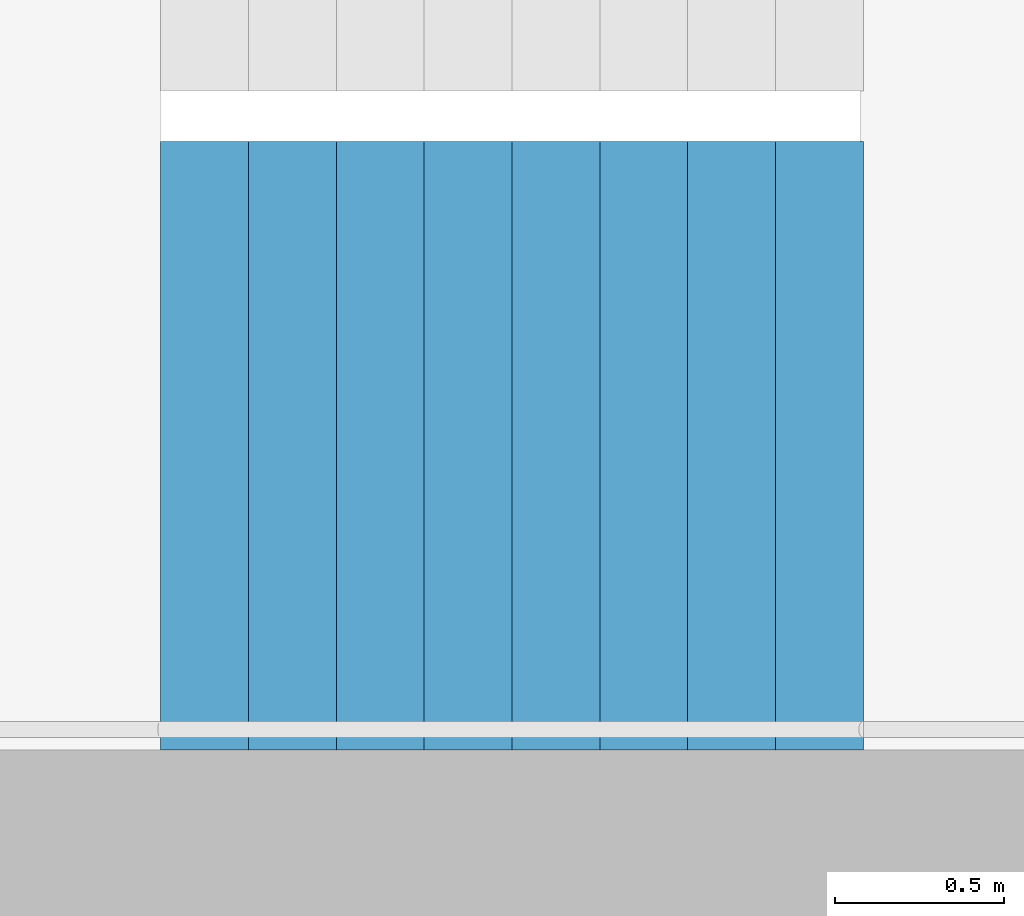
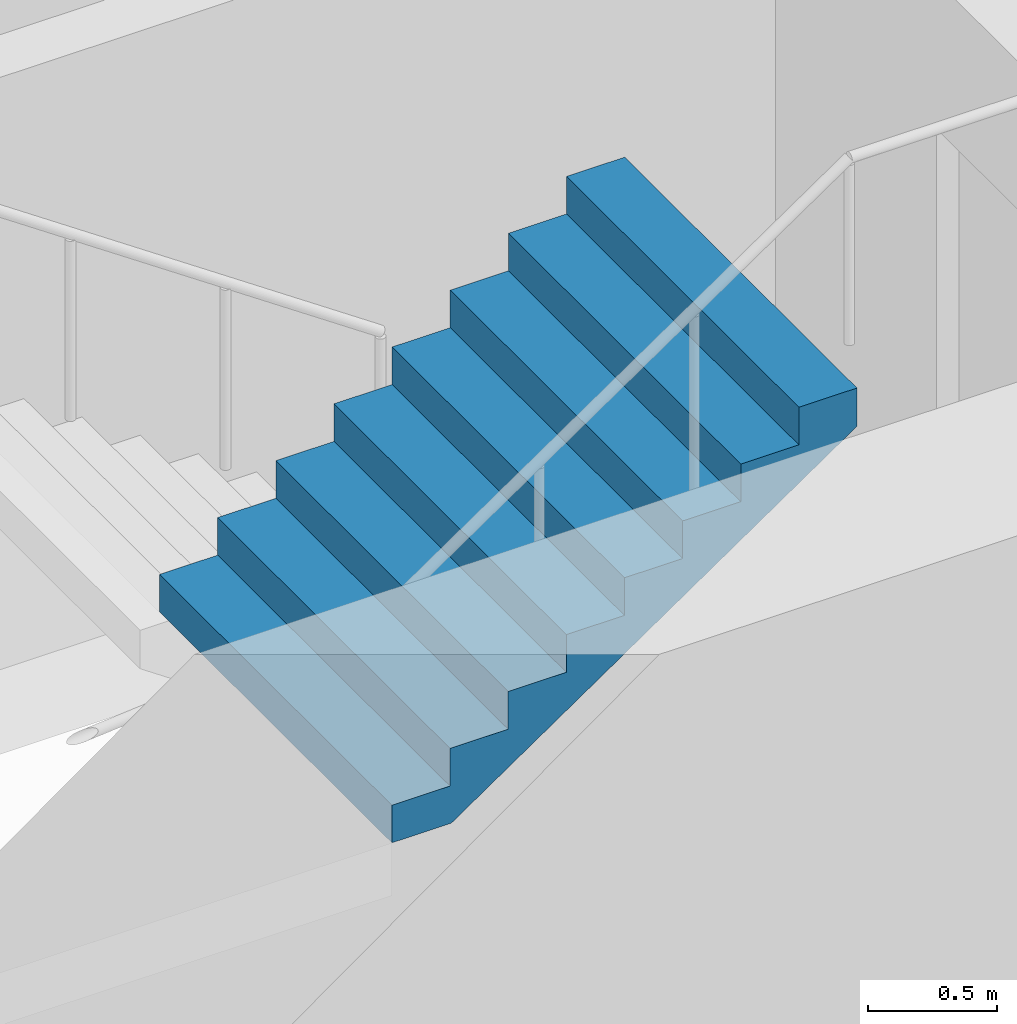
# One storey, part 20 of 28: 1 stair flight, 1 element without a shape of its own.
"""IFC4 building model written with IfcOpenShell, lengths in metres."""

from ifc_helpers import new_model, si_unit, direction, frame, origin, place, context, subcontext, project, spatial, triangles, material, type_object, element, aggregate, save


model = new_model("IFC4")

# Units and contexts
model_context = context("Model", 3, precision=1e-05, world=origin(), true_north=direction((0.0, 1.0)))
body_context = subcontext(model_context, "Body", "Model", "MODEL_VIEW")
ifc_project = project(units=[si_unit("LENGTHUNIT", "METRE"), si_unit("AREAUNIT", "SQUARE_METRE"), si_unit("VOLUMEUNIT", "CUBIC_METRE"), si_unit("PLANEANGLEUNIT", "RADIAN"), si_unit("MASSUNIT", "GRAM", prefix="KILO")], contexts=[model_context])

# Site, building, storey
site_placement = place(None, origin())
site = spatial("IfcSite", under=ifc_project, at=site_placement, CompositionType="ELEMENT")
building_placement = place(site_placement, origin())
building = spatial("IfcBuilding", under=site, at=building_placement, Name="Hakoniwa Tower and Hamabe Station Hall", CompositionType="ELEMENT")
storey_placement = place(building_placement, frame((0.0, 0.0, 32.60009765625)))
storey = spatial("IfcBuildingStorey", under=building, at=storey_placement, Name="L08", CompositionType="ELEMENT", Elevation=32.60009765625)

# Stair, stair flight
ifc_material_1 = material(Name="Concrete C40", Category="concrete")
stair_type = type_object("IfcStairType", Name="ESCAPE STAIR 1800", PredefinedType="HALF_TURN_STAIR", material=ifc_material_1)
stair_placement = place(storey_placement, origin())
stair = element("IfcStair", 1, at=stair_placement, inside=storey, type_object=stair_type, Name="Escape stair ST-2 L08", PredefinedType="HALF_TURN_STAIR")
ifc_material_2 = material(Name="Concrete C40", Category="concrete")
stair_flight_type = type_object("IfcStairFlightType", Name="STAIR FLIGHT 1800", PredefinedType="STRAIGHT", material=ifc_material_2)
stair_flight_placement = place(storey_placement, frame((-25.47998046875, -6.60009765625, 1.599853515625), z_axis=(0.0, 0.0, 1.0), x_axis=(1.0, 0.0, 0.0)))
stair_flight = element("IfcStairFlight", 2, at=stair_flight_placement, type_object=stair_flight_type, Name="ST-2 flight 2", NumberOfRisers=9, NumberOfTreads=8, PredefinedType="STRAIGHT", RiserHeight=0.177777778, TreadLength=0.26, context=body_context, shape_type="Tessellation", body=[
    triangles([(0.0, 0.89990234375, 0.0), (0.260009765625, 0.89990234375, 0.0), (0.265625, 0.89990234375, 0.0), (0.52001953125, 0.89990234375, 0.174072265625), (0.780029296875, 0.89990234375, 0.351806640625), (1.0400390625, 0.89990234375, 0.529541015625), (1.300048828125, 0.89990234375, 0.707275390625), (1.56005859375, 0.89990234375, 0.885009765625), (1.820068359375, 0.89990234375, 1.062744140625), (2.080078125, 0.89990234375, 1.24072265625), (2.080078125, 0.89990234375, 1.422119140625), (1.820068359375, 0.89990234375, 1.422119140625), (1.820068359375, 0.89990234375, 1.244384765625), (1.56005859375, 0.89990234375, 1.244384765625), (1.56005859375, 0.89990234375, 1.066650390625), (1.300048828125, 0.89990234375, 1.066650390625), (1.300048828125, 0.89990234375, 0.888916015625), (1.0400390625, 0.89990234375, 0.888916015625), (1.0400390625, 0.89990234375, 0.711181640625), (0.780029296875, 0.89990234375, 0.711181640625), (0.780029296875, 0.89990234375, 0.533447265625), (0.52001953125, 0.89990234375, 0.533447265625), (0.52001953125, 0.89990234375, 0.35546875), (0.265625, 0.89990234375, 0.35546875), (0.260009765625, 0.89990234375, 0.35546875), (0.260009765625, 0.89990234375, 0.177734375), (0.0, 0.89990234375, 0.177734375), (0.0, 0.06005859375, 0.0), (0.260009765625, 0.06005859375, 0.0), (0.265625, 0.06005859375, 0.0), (0.52001953125, 0.06005859375, 0.174072265625), (0.780029296875, 0.06005859375, 0.351806640625), (1.0400390625, 0.06005859375, 0.529541015625), (1.300048828125, 0.06005859375, 0.707275390625), (1.56005859375, 0.06005859375, 0.885009765625), (1.820068359375, 0.06005859375, 1.062744140625), (2.080078125, 0.06005859375, 1.24072265625), (2.080078125, 0.06005859375, 1.422119140625), (1.820068359375, 0.06005859375, 1.422119140625), (1.820068359375, 0.06005859375, 1.244384765625), (1.56005859375, 0.06005859375, 1.244384765625), (1.56005859375, 0.06005859375, 1.066650390625), (1.300048828125, 0.06005859375, 1.066650390625), (1.300048828125, 0.06005859375, 0.888916015625), (1.0400390625, 0.06005859375, 0.888916015625), (1.0400390625, 0.06005859375, 0.711181640625), (0.780029296875, 0.06005859375, 0.711181640625), (0.780029296875, 0.06005859375, 0.533447265625), (0.52001953125, 0.06005859375, 0.533447265625), (0.52001953125, 0.06005859375, 0.35546875), (0.265625, 0.06005859375, 0.35546875), (0.260009765625, 0.06005859375, 0.35546875), (0.260009765625, 0.06005859375, 0.177734375), (0.0, 0.06005859375, 0.177734375), (0.0, 0.04296875, 0.0), (0.260009765625, 0.04296875, 0.0), (0.265625, 0.04296875, 0.0), (0.52001953125, 0.04296875, 0.174072265625), (0.780029296875, 0.04296875, 0.351806640625), (1.0400390625, 0.04296875, 0.529541015625), (1.300048828125, 0.04296875, 0.707275390625), (1.56005859375, 0.04296875, 0.885009765625), (1.820068359375, 0.04296875, 1.062744140625), (2.080078125, 0.04296875, 1.24072265625), (2.080078125, 0.04296875, 1.422119140625), (1.820068359375, 0.04296875, 1.422119140625), (1.820068359375, 0.04296875, 1.244384765625), (1.56005859375, 0.04296875, 1.244384765625), (1.56005859375, 0.04296875, 1.066650390625), (1.300048828125, 0.04296875, 1.066650390625), (1.300048828125, 0.04296875, 0.888916015625), (1.0400390625, 0.04296875, 0.888916015625), (1.0400390625, 0.04296875, 0.711181640625), (0.780029296875, 0.04296875, 0.711181640625), (0.780029296875, 0.04296875, 0.533447265625), (0.52001953125, 0.04296875, 0.533447265625), (0.52001953125, 0.04296875, 0.35546875), (0.265625, 0.04296875, 0.35546875), (0.260009765625, 0.04296875, 0.35546875), (0.260009765625, 0.04296875, 0.177734375), (0.0, 0.04296875, 0.177734375), (0.0, 0.025634765625, 0.0), (0.260009765625, 0.025634765625, 0.0), (0.265625, 0.025634765625, 0.0), (0.52001953125, 0.025634765625, 0.174072265625), (0.780029296875, 0.025634765625, 0.351806640625), (1.0400390625, 0.025634765625, 0.529541015625), (1.300048828125, 0.025634765625, 0.707275390625), (1.56005859375, 0.025634765625, 0.885009765625), (1.820068359375, 0.025634765625, 1.062744140625), (2.080078125, 0.025634765625, 1.24072265625), (2.080078125, 0.025634765625, 1.422119140625), (1.820068359375, 0.025634765625, 1.422119140625), (1.820068359375, 0.025634765625, 1.244384765625), (1.56005859375, 0.025634765625, 1.244384765625), (1.56005859375, 0.025634765625, 1.066650390625), (1.300048828125, 0.025634765625, 1.066650390625), (1.300048828125, 0.025634765625, 0.888916015625), (1.0400390625, 0.025634765625, 0.888916015625), (1.0400390625, 0.025634765625, 0.711181640625), (0.780029296875, 0.025634765625, 0.711181640625), (0.780029296875, 0.025634765625, 0.533447265625), (0.52001953125, 0.025634765625, 0.533447265625), (0.52001953125, 0.025634765625, 0.35546875), (0.265625, 0.025634765625, 0.35546875), (0.260009765625, 0.025634765625, 0.35546875), (0.260009765625, 0.025634765625, 0.177734375), (0.0, 0.025634765625, 0.177734375), (0.0, 0.008544921875, 0.0), (0.260009765625, 0.008544921875, 0.0), (0.265625, 0.008544921875, 0.0), (0.52001953125, 0.008544921875, 0.174072265625), (0.780029296875, 0.008544921875, 0.351806640625), (1.0400390625, 0.008544921875, 0.529541015625), (1.300048828125, 0.008544921875, 0.707275390625), (1.56005859375, 0.008544921875, 0.885009765625), (1.820068359375, 0.008544921875, 1.062744140625), (2.080078125, 0.008544921875, 1.24072265625), (2.080078125, 0.008544921875, 1.422119140625), (1.820068359375, 0.008544921875, 1.422119140625), (1.820068359375, 0.008544921875, 1.244384765625), (1.56005859375, 0.008544921875, 1.244384765625), (1.56005859375, 0.008544921875, 1.066650390625), (1.300048828125, 0.008544921875, 1.066650390625), (1.300048828125, 0.008544921875, 0.888916015625), (1.0400390625, 0.008544921875, 0.888916015625), (1.0400390625, 0.008544921875, 0.711181640625), (0.780029296875, 0.008544921875, 0.711181640625), (0.780029296875, 0.008544921875, 0.533447265625), (0.52001953125, 0.008544921875, 0.533447265625), (0.52001953125, 0.008544921875, 0.35546875), (0.265625, 0.008544921875, 0.35546875), (0.260009765625, 0.008544921875, 0.35546875), (0.260009765625, 0.008544921875, 0.177734375), (0.0, 0.008544921875, 0.177734375), (0.0, -0.008544921875, 0.0), (0.260009765625, -0.008544921875, 0.0), (0.265625, -0.008544921875, 0.0), (0.52001953125, -0.008544921875, 0.174072265625), (0.780029296875, -0.008544921875, 0.351806640625), (1.0400390625, -0.008544921875, 0.529541015625), (1.300048828125, -0.008544921875, 0.707275390625), (1.56005859375, -0.008544921875, 0.885009765625), (1.820068359375, -0.008544921875, 1.062744140625), (2.080078125, -0.008544921875, 1.24072265625), (2.080078125, -0.008544921875, 1.422119140625), (1.820068359375, -0.008544921875, 1.422119140625), (1.820068359375, -0.008544921875, 1.244384765625), (1.56005859375, -0.008544921875, 1.244384765625), (1.56005859375, -0.008544921875, 1.066650390625), (1.300048828125, -0.008544921875, 1.066650390625), (1.300048828125, -0.008544921875, 0.888916015625), (1.0400390625, -0.008544921875, 0.888916015625), (1.0400390625, -0.008544921875, 0.711181640625), (0.780029296875, -0.008544921875, 0.711181640625), (0.780029296875, -0.008544921875, 0.533447265625), (0.52001953125, -0.008544921875, 0.533447265625), (0.52001953125, -0.008544921875, 0.35546875), (0.265625, -0.008544921875, 0.35546875), (0.260009765625, -0.008544921875, 0.35546875), (0.260009765625, -0.008544921875, 0.177734375), (0.0, -0.008544921875, 0.177734375), (0.0, -0.025634765625, 0.0), (0.260009765625, -0.025634765625, 0.0), (0.265625, -0.025634765625, 0.0), (0.52001953125, -0.025634765625, 0.174072265625), (0.780029296875, -0.025634765625, 0.351806640625), (1.0400390625, -0.025634765625, 0.529541015625), (1.300048828125, -0.025634765625, 0.707275390625), (1.56005859375, -0.025634765625, 0.885009765625), (1.820068359375, -0.025634765625, 1.062744140625), (2.080078125, -0.025634765625, 1.24072265625), (2.080078125, -0.025634765625, 1.422119140625), (1.820068359375, -0.025634765625, 1.422119140625), (1.820068359375, -0.025634765625, 1.244384765625), (1.56005859375, -0.025634765625, 1.244384765625), (1.56005859375, -0.025634765625, 1.066650390625), (1.300048828125, -0.025634765625, 1.066650390625), (1.300048828125, -0.025634765625, 0.888916015625), (1.0400390625, -0.025634765625, 0.888916015625), (1.0400390625, -0.025634765625, 0.711181640625), (0.780029296875, -0.025634765625, 0.711181640625), (0.780029296875, -0.025634765625, 0.533447265625), (0.52001953125, -0.025634765625, 0.533447265625), (0.52001953125, -0.025634765625, 0.35546875), (0.265625, -0.025634765625, 0.35546875), (0.260009765625, -0.025634765625, 0.35546875), (0.260009765625, -0.025634765625, 0.177734375), (0.0, -0.025634765625, 0.177734375), (0.0, -0.04296875, 0.0), (0.260009765625, -0.04296875, 0.0), (0.265625, -0.04296875, 0.0), (0.52001953125, -0.04296875, 0.174072265625), (0.780029296875, -0.04296875, 0.351806640625), (1.0400390625, -0.04296875, 0.529541015625), (1.300048828125, -0.04296875, 0.707275390625), (1.56005859375, -0.04296875, 0.885009765625), (1.820068359375, -0.04296875, 1.062744140625), (2.080078125, -0.04296875, 1.24072265625), (2.080078125, -0.04296875, 1.422119140625), (1.820068359375, -0.04296875, 1.422119140625), (1.820068359375, -0.04296875, 1.244384765625), (1.56005859375, -0.04296875, 1.244384765625), (1.56005859375, -0.04296875, 1.066650390625), (1.300048828125, -0.04296875, 1.066650390625), (1.300048828125, -0.04296875, 0.888916015625), (1.0400390625, -0.04296875, 0.888916015625), (1.0400390625, -0.04296875, 0.711181640625), (0.780029296875, -0.04296875, 0.711181640625), (0.780029296875, -0.04296875, 0.533447265625), (0.52001953125, -0.04296875, 0.533447265625), (0.52001953125, -0.04296875, 0.35546875), (0.265625, -0.04296875, 0.35546875), (0.260009765625, -0.04296875, 0.35546875), (0.260009765625, -0.04296875, 0.177734375), (0.0, -0.04296875, 0.177734375), (0.0, -0.06005859375, 0.0), (0.260009765625, -0.06005859375, 0.0), (0.265625, -0.06005859375, 0.0), (0.52001953125, -0.06005859375, 0.174072265625), (0.780029296875, -0.06005859375, 0.351806640625), (1.0400390625, -0.06005859375, 0.529541015625), (1.300048828125, -0.06005859375, 0.707275390625), (1.56005859375, -0.06005859375, 0.885009765625), (1.820068359375, -0.06005859375, 1.062744140625), (2.080078125, -0.06005859375, 1.24072265625), (2.080078125, -0.06005859375, 1.422119140625), (1.820068359375, -0.06005859375, 1.422119140625), (1.820068359375, -0.06005859375, 1.244384765625), (1.56005859375, -0.06005859375, 1.244384765625), (1.56005859375, -0.06005859375, 1.066650390625), (1.300048828125, -0.06005859375, 1.066650390625), (1.300048828125, -0.06005859375, 0.888916015625), (1.0400390625, -0.06005859375, 0.888916015625), (1.0400390625, -0.06005859375, 0.711181640625), (0.780029296875, -0.06005859375, 0.711181640625), (0.780029296875, -0.06005859375, 0.533447265625), (0.52001953125, -0.06005859375, 0.533447265625), (0.52001953125, -0.06005859375, 0.35546875), (0.265625, -0.06005859375, 0.35546875), (0.260009765625, -0.06005859375, 0.35546875), (0.260009765625, -0.06005859375, 0.177734375), (0.0, -0.06005859375, 0.177734375), (0.0, -0.89990234375, 0.0), (0.260009765625, -0.89990234375, 0.0), (0.265625, -0.89990234375, 0.0), (0.52001953125, -0.89990234375, 0.174072265625), (0.780029296875, -0.89990234375, 0.351806640625), (1.0400390625, -0.89990234375, 0.529541015625), (1.300048828125, -0.89990234375, 0.707275390625), (1.56005859375, -0.89990234375, 0.885009765625), (1.820068359375, -0.89990234375, 1.062744140625), (2.080078125, -0.89990234375, 1.24072265625), (2.080078125, -0.89990234375, 1.422119140625), (1.820068359375, -0.89990234375, 1.422119140625), (1.820068359375, -0.89990234375, 1.244384765625), (1.56005859375, -0.89990234375, 1.244384765625), (1.56005859375, -0.89990234375, 1.066650390625), (1.300048828125, -0.89990234375, 1.066650390625), (1.300048828125, -0.89990234375, 0.888916015625), (1.0400390625, -0.89990234375, 0.888916015625), (1.0400390625, -0.89990234375, 0.711181640625), (0.780029296875, -0.89990234375, 0.711181640625), (0.780029296875, -0.89990234375, 0.533447265625), (0.52001953125, -0.89990234375, 0.533447265625), (0.52001953125, -0.89990234375, 0.35546875), (0.265625, -0.89990234375, 0.35546875), (0.260009765625, -0.89990234375, 0.35546875), (0.260009765625, -0.89990234375, 0.177734375), (0.0, -0.89990234375, 0.177734375)], [[2, 27, 26], [245, 269, 270], [2, 1, 27], [245, 270, 244], [3, 25, 24], [246, 267, 268], [3, 26, 25], [246, 268, 269], [3, 2, 26], [246, 269, 245], [4, 24, 23], [247, 266, 267], [4, 3, 24], [247, 267, 246], [5, 22, 21], [248, 264, 265], [5, 23, 22], [248, 265, 266], [5, 4, 23], [248, 266, 247], [6, 20, 19], [249, 262, 263], [6, 21, 20], [249, 263, 264], [6, 5, 21], [249, 264, 248], [7, 18, 17], [250, 260, 261], [7, 19, 18], [250, 261, 262], [7, 6, 19], [250, 262, 249], [8, 16, 15], [251, 258, 259], [8, 17, 16], [251, 259, 260], [8, 7, 17], [251, 260, 250], [9, 14, 13], [252, 256, 257], [9, 15, 14], [252, 257, 258], [9, 8, 15], [252, 258, 251], [10, 12, 11], [253, 254, 255], [10, 13, 12], [253, 255, 256], [10, 9, 13], [253, 256, 252], [1, 2, 29], [1, 29, 28], [28, 29, 56], [28, 56, 55], [55, 56, 83], [55, 83, 82], [82, 83, 110], [82, 110, 109], [109, 110, 137], [109, 137, 136], [136, 137, 164], [136, 164, 163], [163, 164, 191], [163, 191, 190], [190, 191, 218], [190, 218, 217], [217, 218, 245], [217, 245, 244], [2, 3, 30], [2, 30, 29], [29, 30, 57], [29, 57, 56], [56, 57, 84], [56, 84, 83], [83, 84, 111], [83, 111, 110], [110, 111, 138], [110, 138, 137], [137, 138, 165], [137, 165, 164], [164, 165, 192], [164, 192, 191], [191, 192, 219], [191, 219, 218], [218, 219, 246], [218, 246, 245], [3, 4, 31], [3, 31, 30], [30, 31, 58], [30, 58, 57], [57, 58, 85], [57, 85, 84], [84, 85, 112], [84, 112, 111], [111, 112, 139], [111, 139, 138], [138, 139, 166], [138, 166, 165], [165, 166, 193], [165, 193, 192], [192, 193, 220], [192, 220, 219], [219, 220, 247], [219, 247, 246], [4, 5, 32], [4, 32, 31], [31, 32, 59], [31, 59, 58], [58, 59, 86], [58, 86, 85], [85, 86, 113], [85, 113, 112], [112, 113, 140], [112, 140, 139], [139, 140, 167], [139, 167, 166], [166, 167, 194], [166, 194, 193], [193, 194, 221], [193, 221, 220], [220, 221, 248], [220, 248, 247], [5, 6, 33], [5, 33, 32], [32, 33, 60], [32, 60, 59], [59, 60, 87], [59, 87, 86], [86, 87, 114], [86, 114, 113], [113, 114, 141], [113, 141, 140], [140, 141, 168], [140, 168, 167], [167, 168, 195], [167, 195, 194], [194, 195, 222], [194, 222, 221], [221, 222, 249], [221, 249, 248], [6, 7, 34], [6, 34, 33], [33, 34, 61], [33, 61, 60], [60, 61, 88], [60, 88, 87], [87, 88, 115], [87, 115, 114], [114, 115, 142], [114, 142, 141], [141, 142, 169], [141, 169, 168], [168, 169, 196], [168, 196, 195], [195, 196, 223], [195, 223, 222], [222, 223, 250], [222, 250, 249], [7, 8, 35], [7, 35, 34], [34, 35, 62], [34, 62, 61], [61, 62, 89], [61, 89, 88], [88, 89, 116], [88, 116, 115], [115, 116, 143], [115, 143, 142], [142, 143, 170], [142, 170, 169], [169, 170, 197], [169, 197, 196], [196, 197, 224], [196, 224, 223], [223, 224, 251], [223, 251, 250], [8, 9, 36], [8, 36, 35], [35, 36, 63], [35, 63, 62], [62, 63, 90], [62, 90, 89], [89, 90, 117], [89, 117, 116], [116, 117, 144], [116, 144, 143], [143, 144, 171], [143, 171, 170], [170, 171, 198], [170, 198, 197], [197, 198, 225], [197, 225, 224], [224, 225, 252], [224, 252, 251], [9, 10, 37], [9, 37, 36], [36, 37, 64], [36, 64, 63], [63, 64, 91], [63, 91, 90], [90, 91, 118], [90, 118, 117], [117, 118, 145], [117, 145, 144], [144, 145, 172], [144, 172, 171], [171, 172, 199], [171, 199, 198], [198, 199, 226], [198, 226, 225], [225, 226, 253], [225, 253, 252], [10, 11, 38], [10, 38, 37], [37, 38, 65], [37, 65, 64], [64, 65, 92], [64, 92, 91], [91, 92, 119], [91, 119, 118], [118, 119, 146], [118, 146, 145], [145, 146, 173], [145, 173, 172], [172, 173, 200], [172, 200, 199], [199, 200, 227], [199, 227, 226], [226, 227, 254], [226, 254, 253], [11, 12, 39], [11, 39, 38], [38, 39, 66], [38, 66, 65], [65, 66, 93], [65, 93, 92], [92, 93, 120], [92, 120, 119], [119, 120, 147], [119, 147, 146], [146, 147, 174], [146, 174, 173], [173, 174, 201], [173, 201, 200], [200, 201, 228], [200, 228, 227], [227, 228, 255], [227, 255, 254], [12, 13, 40], [12, 40, 39], [39, 40, 67], [39, 67, 66], [66, 67, 94], [66, 94, 93], [93, 94, 121], [93, 121, 120], [120, 121, 148], [120, 148, 147], [147, 148, 175], [147, 175, 174], [174, 175, 202], [174, 202, 201], [201, 202, 229], [201, 229, 228], [228, 229, 256], [228, 256, 255], [13, 14, 41], [13, 41, 40], [40, 41, 68], [40, 68, 67], [67, 68, 95], [67, 95, 94], [94, 95, 122], [94, 122, 121], [121, 122, 149], [121, 149, 148], [148, 149, 176], [148, 176, 175], [175, 176, 203], [175, 203, 202], [202, 203, 230], [202, 230, 229], [229, 230, 257], [229, 257, 256], [14, 15, 42], [14, 42, 41], [41, 42, 69], [41, 69, 68], [68, 69, 96], [68, 96, 95], [95, 96, 123], [95, 123, 122], [122, 123, 150], [122, 150, 149], [149, 150, 177], [149, 177, 176], [176, 177, 204], [176, 204, 203], [203, 204, 231], [203, 231, 230], [230, 231, 258], [230, 258, 257], [15, 16, 43], [15, 43, 42], [42, 43, 70], [42, 70, 69], [69, 70, 97], [69, 97, 96], [96, 97, 124], [96, 124, 123], [123, 124, 151], [123, 151, 150], [150, 151, 178], [150, 178, 177], [177, 178, 205], [177, 205, 204], [204, 205, 232], [204, 232, 231], [231, 232, 259], [231, 259, 258], [16, 17, 44], [16, 44, 43], [43, 44, 71], [43, 71, 70], [70, 71, 98], [70, 98, 97], [97, 98, 125], [97, 125, 124], [124, 125, 152], [124, 152, 151], [151, 152, 179], [151, 179, 178], [178, 179, 206], [178, 206, 205], [205, 206, 233], [205, 233, 232], [232, 233, 260], [232, 260, 259], [17, 18, 45], [17, 45, 44], [44, 45, 72], [44, 72, 71], [71, 72, 99], [71, 99, 98], [98, 99, 126], [98, 126, 125], [125, 126, 153], [125, 153, 152], [152, 153, 180], [152, 180, 179], [179, 180, 207], [179, 207, 206], [206, 207, 234], [206, 234, 233], [233, 234, 261], [233, 261, 260], [18, 19, 46], [18, 46, 45], [45, 46, 73], [45, 73, 72], [72, 73, 100], [72, 100, 99], [99, 100, 127], [99, 127, 126], [126, 127, 154], [126, 154, 153], [153, 154, 181], [153, 181, 180], [180, 181, 208], [180, 208, 207], [207, 208, 235], [207, 235, 234], [234, 235, 262], [234, 262, 261], [19, 20, 47], [19, 47, 46], [46, 47, 74], [46, 74, 73], [73, 74, 101], [73, 101, 100], [100, 101, 128], [100, 128, 127], [127, 128, 155], [127, 155, 154], [154, 155, 182], [154, 182, 181], [181, 182, 209], [181, 209, 208], [208, 209, 236], [208, 236, 235], [235, 236, 263], [235, 263, 262], [20, 21, 48], [20, 48, 47], [47, 48, 75], [47, 75, 74], [74, 75, 102], [74, 102, 101], [101, 102, 129], [101, 129, 128], [128, 129, 156], [128, 156, 155], [155, 156, 183], [155, 183, 182], [182, 183, 210], [182, 210, 209], [209, 210, 237], [209, 237, 236], [236, 237, 264], [236, 264, 263], [21, 22, 49], [21, 49, 48], [48, 49, 76], [48, 76, 75], [75, 76, 103], [75, 103, 102], [102, 103, 130], [102, 130, 129], [129, 130, 157], [129, 157, 156], [156, 157, 184], [156, 184, 183], [183, 184, 211], [183, 211, 210], [210, 211, 238], [210, 238, 237], [237, 238, 265], [237, 265, 264], [22, 23, 50], [22, 50, 49], [49, 50, 77], [49, 77, 76], [76, 77, 104], [76, 104, 103], [103, 104, 131], [103, 131, 130], [130, 131, 158], [130, 158, 157], [157, 158, 185], [157, 185, 184], [184, 185, 212], [184, 212, 211], [211, 212, 239], [211, 239, 238], [238, 239, 266], [238, 266, 265], [23, 24, 51], [23, 51, 50], [50, 51, 78], [50, 78, 77], [77, 78, 105], [77, 105, 104], [104, 105, 132], [104, 132, 131], [131, 132, 159], [131, 159, 158], [158, 159, 186], [158, 186, 185], [185, 186, 213], [185, 213, 212], [212, 213, 240], [212, 240, 239], [239, 240, 267], [239, 267, 266], [24, 25, 52], [24, 52, 51], [51, 52, 79], [51, 79, 78], [78, 79, 106], [78, 106, 105], [105, 106, 133], [105, 133, 132], [132, 133, 160], [132, 160, 159], [159, 160, 187], [159, 187, 186], [186, 187, 214], [186, 214, 213], [213, 214, 241], [213, 241, 240], [240, 241, 268], [240, 268, 267], [25, 26, 53], [25, 53, 52], [52, 53, 80], [52, 80, 79], [79, 80, 107], [79, 107, 106], [106, 107, 134], [106, 134, 133], [133, 134, 161], [133, 161, 160], [160, 161, 188], [160, 188, 187], [187, 188, 215], [187, 215, 214], [214, 215, 242], [214, 242, 241], [241, 242, 269], [241, 269, 268], [26, 27, 54], [26, 54, 53], [53, 54, 81], [53, 81, 80], [80, 81, 108], [80, 108, 107], [107, 108, 135], [107, 135, 134], [134, 135, 162], [134, 162, 161], [161, 162, 189], [161, 189, 188], [188, 189, 216], [188, 216, 215], [215, 216, 243], [215, 243, 242], [242, 243, 270], [242, 270, 269], [27, 1, 28], [27, 28, 54], [54, 28, 55], [54, 55, 81], [81, 55, 82], [81, 82, 108], [108, 82, 109], [108, 109, 135], [135, 109, 136], [135, 136, 162], [162, 136, 163], [162, 163, 189], [189, 163, 190], [189, 190, 216], [216, 190, 217], [216, 217, 243], [243, 217, 244], [243, 244, 270]], closed=True),
])
aggregate(stair, [stair_flight])

save(model, "model.ifc")
